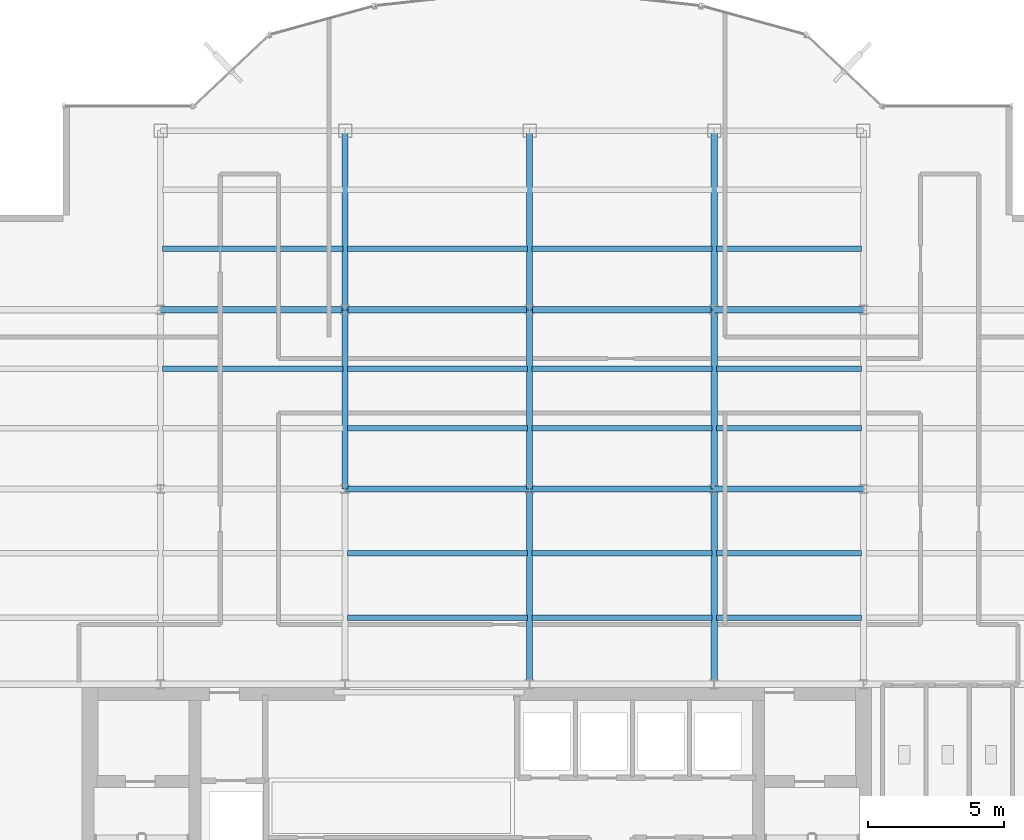
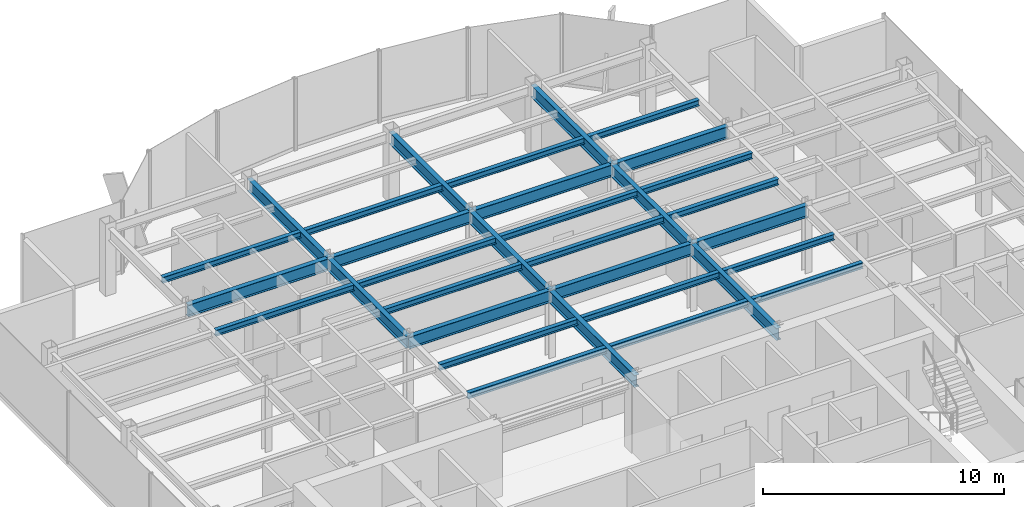
# One storey, part 8 of 22: 32 beams.
"""IFC4 building model written with IfcOpenShell, lengths in metres."""

from ifc_helpers import new_model, si_unit, derived_unit, direction, frame, origin, origin_2d, place, context, subcontext, project, spatial, i_section, extrude, source, transform, mapped, material, material_profile, profile_set, type_object, element, save


model = new_model("IFC4")

# Units and contexts
model_context = context("Model", 3, precision=1e-05, world=origin(), true_north=direction((0.0, 1.0)))
body_context = subcontext(model_context, "Body", "Model", "MODEL_VIEW")
ifc_project = project(units=[si_unit("LENGTHUNIT", "METRE"), si_unit("AREAUNIT", "SQUARE_METRE"), si_unit("VOLUMEUNIT", "CUBIC_METRE"), si_unit("PLANEANGLEUNIT", "RADIAN"), si_unit("MASSUNIT", "GRAM", prefix="KILO"), derived_unit("THERMALTRANSMITTANCEUNIT", [(si_unit("POWERUNIT", "WATT"), 1), (si_unit("LENGTHUNIT", "METRE"), -2), (si_unit("THERMODYNAMICTEMPERATUREUNIT", "KELVIN"), -1)])], contexts=[model_context])

# Site, building, storey
site_placement = place(None, origin())
site = spatial("IfcSite", under=ifc_project, at=site_placement, CompositionType="ELEMENT")
building_placement = place(site_placement, origin())
building = spatial("IfcBuilding", under=site, at=building_placement, Name="Skarnbrae Concourse Arena and Tower", CompositionType="ELEMENT")
storey_placement = place(building_placement, frame((0.0, 0.0, 266.10009765625)))
storey = spatial("IfcBuildingStorey", under=building, at=storey_placement, Name="L69", CompositionType="ELEMENT", Elevation=266.10009765625)

# Beams
ifc_material = material(Name="Steel CSA G40.21 350W", Category="steel")
ifc_material_profile_1 = material_profile(ifc_material, i_section(OverallWidth=0.22802734375, OverallDepth=0.60791015625, WebThickness=0.01123046875, FlangeThickness=0.017333984375, at=origin_2d()), Name="W610X113")
ifc_profile_set_1 = profile_set([ifc_material_profile_1], Name="Steel CSA G40.21 350W")
beam_type_1 = type_object("IfcBeamType", Name="BM-GIRD-W610X113", PredefinedType="BEAM", material=ifc_profile_set_1)
shared_shape_1 = source(origin(), body_context, "Body", "SweptSolid", [
    extrude(i_section(OverallWidth=0.22802734375, OverallDepth=0.60791015625, WebThickness=0.01123046875, FlangeThickness=0.017333984375, at=origin_2d()), origin(), (0.0, 0.0, 1.0), 6.60009765625),
])
for number, where, z_axis, x_axis, name in (
    (1, (14.39990234375, 21.199951171875, 3.095947265625), (0.0, 1.0, 0.0), (-1.0, 0.0, 0.0), "L69 Primary N-S girder X14.4-2"),
    (2, (21.199951171875, 21.199951171875, 3.095947265625), (0.0, 1.0, 0.0), (-1.0, 0.0, 0.0), "L69 Primary N-S girder X21.2-2"),
    (3, (28.0, 21.199951171875, 3.095947265625), (0.0, 1.0, 0.0), (-1.0, 0.0, 0.0), "L69 Primary N-S girder X28.0-2"),
):
    element("IfcBeam", number, at=place(storey_placement, frame(where, z_axis=z_axis, x_axis=x_axis)), inside=storey, type_object=beam_type_1, Name=name, PredefinedType="BEAM", context=body_context, shape_type="MappedRepresentation", body=[
        mapped(shared_shape_1, transform((0.0, 0.0, 0.0))),
    ])
shared_shape_2 = source(origin(), body_context, "Body", "SweptSolid", [
    extrude(i_section(OverallWidth=0.22802734375, OverallDepth=0.60791015625, WebThickness=0.01123046875, FlangeThickness=0.017333984375, at=origin_2d()), origin(), (0.0, 0.0, 1.0), 6.7998046875),
])
beam_placement = place(storey_placement, frame((7.60009765625, 27.800048828125, 3.095947265625), z_axis=(1.0, 0.0, 0.0), x_axis=(0.0, 1.0, 0.0)))
element("IfcBeam", 4, at=beam_placement, inside=storey, type_object=beam_type_1, Name="L69 Primary E-W girder Y27.8-2", PredefinedType="BEAM", context=body_context, shape_type="MappedRepresentation", body=[
    mapped(shared_shape_2, transform((0.0, 0.0, 0.0))),
])
shared_shape_3 = source(origin(), body_context, "Body", "SweptSolid", [
    extrude(i_section(OverallWidth=0.22802734375, OverallDepth=0.60791015625, WebThickness=0.01123046875, FlangeThickness=0.017333984375, at=origin_2d()), origin(), (0.0, 0.0, 1.0), 6.800048828125),
])
for number, where, z_axis, x_axis, name in (
    (5, (14.39990234375, 21.199951171875, 3.095947265625), (1.0, 0.0, 0.0), (0.0, 1.0, 0.0), "L69 Primary E-W girder Y21.2-3"),
    (6, (21.199951171875, 21.199951171875, 3.095947265625), (1.0, 0.0, 0.0), (0.0, 1.0, 0.0), "L69 Primary E-W girder Y21.2-4"),
    (7, (14.39990234375, 27.800048828125, 3.095947265625), (1.0, 0.0, 0.0), (0.0, 1.0, 0.0), "L69 Primary E-W girder Y27.8-3"),
    (8, (21.199951171875, 27.800048828125, 3.095947265625), (1.0, 0.0, 0.0), (0.0, 1.0, 0.0), "L69 Primary E-W girder Y27.8-4"),
):
    element("IfcBeam", number, at=place(storey_placement, frame(where, z_axis=z_axis, x_axis=x_axis)), inside=storey, type_object=beam_type_1, Name=name, PredefinedType="BEAM", context=body_context, shape_type="MappedRepresentation", body=[
        mapped(shared_shape_3, transform((0.0, 0.0, 0.0))),
    ])
shared_shape_4 = source(origin(), body_context, "Body", "SweptSolid", [
    extrude(i_section(OverallWidth=0.22802734375, OverallDepth=0.60791015625, WebThickness=0.01123046875, FlangeThickness=0.017333984375, at=origin_2d()), origin(), (0.0, 0.0, 1.0), 5.5),
])
for number, where, z_axis, x_axis, name in (
    (9, (28.0, 21.199951171875, 3.095947265625), (1.0, 0.0, 0.0), (0.0, 1.0, 0.0), "L69 Primary E-W girder Y21.2-5"),
    (10, (28.0, 27.800048828125, 3.095947265625), (1.0, 0.0, 0.0), (0.0, 1.0, 0.0), "L69 Primary E-W girder Y27.8-5"),
):
    element("IfcBeam", number, at=place(storey_placement, frame(where, z_axis=z_axis, x_axis=x_axis)), inside=storey, type_object=beam_type_1, Name=name, PredefinedType="BEAM", context=body_context, shape_type="MappedRepresentation", body=[
        mapped(shared_shape_4, transform((0.0, 0.0, 0.0))),
    ])
shared_shape_5 = source(origin(), body_context, "Body", "SweptSolid", [
    extrude(i_section(OverallWidth=0.22802734375, OverallDepth=0.60791015625, WebThickness=0.01123046875, FlangeThickness=0.017333984375, at=origin_2d()), origin(), (0.0, 0.0, 1.0), 7.199951171875),
])
for number, where, z_axis, x_axis, name in (
    (11, (21.199951171875, 14.0, 3.095947265625), (0.0, 1.0, 0.0), (-1.0, 0.0, 0.0), "L69 Primary N-S girder X21.2-1"),
    (12, (28.0, 14.0, 3.095947265625), (0.0, 1.0, 0.0), (-1.0, 0.0, 0.0), "L69 Primary N-S girder X28.0-1"),
):
    element("IfcBeam", number, at=place(storey_placement, frame(where, z_axis=z_axis, x_axis=x_axis)), inside=storey, type_object=beam_type_1, Name=name, PredefinedType="BEAM", context=body_context, shape_type="MappedRepresentation", body=[
        mapped(shared_shape_5, transform((0.0, 0.0, 0.0))),
    ])
shared_shape_6 = source(origin(), body_context, "Body", "SweptSolid", [
    extrude(i_section(OverallWidth=0.22802734375, OverallDepth=0.60791015625, WebThickness=0.01123046875, FlangeThickness=0.017333984375, at=origin_2d()), origin(), (0.0, 0.0, 1.0), 6.599853515625),
])
for number, where, z_axis, x_axis, name in (
    (13, (14.39990234375, 27.800048828125, 3.095947265625), (0.0, 1.0, 0.0), (-1.0, 0.0, 0.0), "L69 Primary N-S girder X14.4-3"),
    (14, (21.199951171875, 27.800048828125, 3.095947265625), (0.0, 1.0, 0.0), (-1.0, 0.0, 0.0), "L69 Primary N-S girder X21.2-3"),
    (15, (28.0, 27.800048828125, 3.095947265625), (0.0, 1.0, 0.0), (-1.0, 0.0, 0.0), "L69 Primary N-S girder X28.0-3"),
):
    element("IfcBeam", number, at=place(storey_placement, frame(where, z_axis=z_axis, x_axis=x_axis)), inside=storey, type_object=beam_type_1, Name=name, PredefinedType="BEAM", context=body_context, shape_type="MappedRepresentation", body=[
        mapped(shared_shape_6, transform((0.0, 0.0, 0.0))),
    ])
ifc_material_profile_2 = material_profile(ifc_material, i_section(OverallWidth=0.202880859375, OverallDepth=0.302978515625, WebThickness=0.007568359375, FlangeThickness=0.01318359375, at=origin_2d()), Name="W310X60")
ifc_profile_set_2 = profile_set([ifc_material_profile_2], Name="Steel CSA G40.21 350W")
beam_type_2 = type_object("IfcBeamType", Name="BM-JOIST-W310X60", PredefinedType="JOIST", material=ifc_profile_set_2)
shared_shape_7 = source(origin(), body_context, "Body", "SweptSolid", [
    extrude(i_section(OverallWidth=0.202880859375, OverallDepth=0.302978515625, WebThickness=0.007568359375, FlangeThickness=0.01318359375, at=origin_2d()), origin(), (0.0, 0.0, 1.0), 6.64013671875),
])
for number, where, z_axis, x_axis, name in (
    (16, (14.47998046875, 16.447998046875, 3.248291015625), (1.0, 0.0, 0.0), (0.0, 1.0, 0.0), "L69 Secondary floor joist 1.1.3"),
    (17, (14.47998046875, 18.823974609375, 3.248291015625), (1.0, 0.0, 0.0), (0.0, 1.0, 0.0), "L69 Secondary floor joist 1.2.3"),
    (18, (14.47998046875, 23.444091796875, 3.248291015625), (1.0, 0.0, 0.0), (0.0, 1.0, 0.0), "L69 Secondary floor joist 2.1.3"),
    (19, (7.679931640625, 25.6220703125, 3.248291015625), (1.0, 0.0, 0.0), (0.0, 1.0, 0.0), "L69 Secondary floor joist 2.2.2"),
    (20, (14.47998046875, 25.6220703125, 3.248291015625), (1.0, 0.0, 0.0), (0.0, 1.0, 0.0), "L69 Secondary floor joist 2.2.3"),
    (21, (7.679931640625, 30.0439453125, 3.248291015625), (1.0, 0.0, 0.0), (0.0, 1.0, 0.0), "L69 Secondary floor joist 3.1.1"),
    (22, (14.47998046875, 30.0439453125, 3.248291015625), (1.0, 0.0, 0.0), (0.0, 1.0, 0.0), "L69 Secondary floor joist 3.1.2"),
):
    element("IfcBeam", number, at=place(storey_placement, frame(where, z_axis=z_axis, x_axis=x_axis)), inside=storey, type_object=beam_type_2, Name=name, PredefinedType="JOIST", context=body_context, shape_type="MappedRepresentation", body=[
        mapped(shared_shape_7, transform((0.0, 0.0, 0.0))),
    ])
shared_shape_8 = source(origin(), body_context, "Body", "SweptSolid", [
    extrude(i_section(OverallWidth=0.202880859375, OverallDepth=0.302978515625, WebThickness=0.007568359375, FlangeThickness=0.01318359375, at=origin_2d()), origin(), (0.0, 0.0, 1.0), 6.639892578125),
])
for number, where, z_axis, x_axis, name in (
    (23, (21.280029296875, 16.447998046875, 3.248291015625), (1.0, 0.0, 0.0), (0.0, 1.0, 0.0), "L69 Secondary floor joist 1.1.4"),
    (24, (21.280029296875, 18.823974609375, 3.248291015625), (1.0, 0.0, 0.0), (0.0, 1.0, 0.0), "L69 Secondary floor joist 1.2.4"),
    (25, (21.280029296875, 23.444091796875, 3.248291015625), (1.0, 0.0, 0.0), (0.0, 1.0, 0.0), "L69 Secondary floor joist 2.1.4"),
    (26, (21.280029296875, 25.6220703125, 3.248291015625), (1.0, 0.0, 0.0), (0.0, 1.0, 0.0), "L69 Secondary floor joist 2.2.4"),
    (27, (21.280029296875, 30.0439453125, 3.248291015625), (1.0, 0.0, 0.0), (0.0, 1.0, 0.0), "L69 Secondary floor joist 3.1.3"),
):
    element("IfcBeam", number, at=place(storey_placement, frame(where, z_axis=z_axis, x_axis=x_axis)), inside=storey, type_object=beam_type_2, Name=name, PredefinedType="JOIST", context=body_context, shape_type="MappedRepresentation", body=[
        mapped(shared_shape_8, transform((0.0, 0.0, 0.0))),
    ])
shared_shape_9 = source(origin(), body_context, "Body", "SweptSolid", [
    extrude(i_section(OverallWidth=0.202880859375, OverallDepth=0.302978515625, WebThickness=0.007568359375, FlangeThickness=0.01318359375, at=origin_2d()), origin(), (0.0, 0.0, 1.0), 5.33984375),
])
for number, where, z_axis, x_axis, name in (
    (28, (28.080078125, 16.447998046875, 3.248291015625), (1.0, 0.0, 0.0), (0.0, 1.0, 0.0), "L69 Secondary floor joist 1.1.5"),
    (29, (28.080078125, 18.823974609375, 3.248291015625), (1.0, 0.0, 0.0), (0.0, 1.0, 0.0), "L69 Secondary floor joist 1.2.5"),
    (30, (28.080078125, 23.444091796875, 3.248291015625), (1.0, 0.0, 0.0), (0.0, 1.0, 0.0), "L69 Secondary floor joist 2.1.5"),
    (31, (28.080078125, 25.6220703125, 3.248291015625), (1.0, 0.0, 0.0), (0.0, 1.0, 0.0), "L69 Secondary floor joist 2.2.5"),
    (32, (28.080078125, 30.0439453125, 3.248291015625), (1.0, 0.0, 0.0), (0.0, 1.0, 0.0), "L69 Secondary floor joist 3.1.4"),
):
    element("IfcBeam", number, at=place(storey_placement, frame(where, z_axis=z_axis, x_axis=x_axis)), inside=storey, type_object=beam_type_2, Name=name, PredefinedType="JOIST", context=body_context, shape_type="MappedRepresentation", body=[
        mapped(shared_shape_9, transform((0.0, 0.0, 0.0))),
    ])

save(model, "model.ifc")
